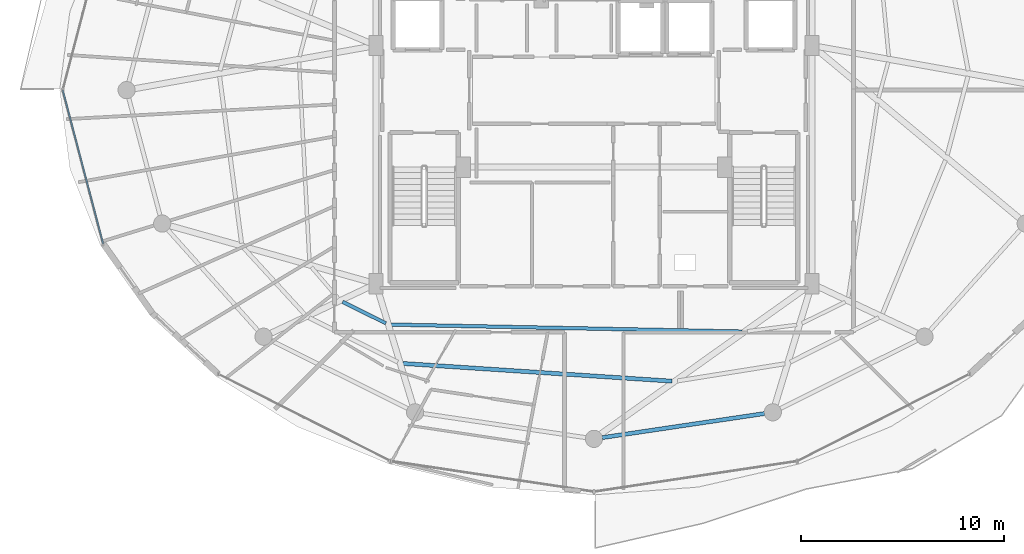
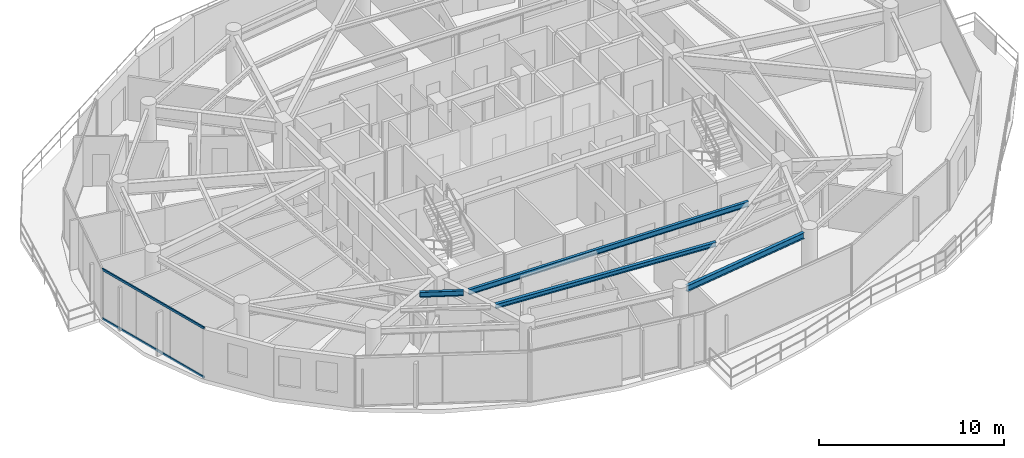
# One storey, part 5 of 29: 4 beams, 2 members, 1 element without a shape of its own.
"""IFC4 building model written with IfcOpenShell, lengths in metres."""

from ifc_helpers import new_model, si_unit, direction, frame, origin, origin_2d, place, context, subcontext, project, spatial, hollow_rectangle, i_section, extrude, material, material_profile, profile_set, type_object, element, aggregate, save


model = new_model("IFC4")

# Units and contexts
model_context = context("Model", 3, precision=1e-05, world=origin(), true_north=direction((0.0, 1.0)))
body_context = subcontext(model_context, "Body", "Model", "MODEL_VIEW")
ifc_project = project(units=[si_unit("LENGTHUNIT", "METRE"), si_unit("AREAUNIT", "SQUARE_METRE"), si_unit("VOLUMEUNIT", "CUBIC_METRE"), si_unit("PLANEANGLEUNIT", "RADIAN"), si_unit("MASSUNIT", "GRAM", prefix="KILO")], contexts=[model_context])

# Site, building, storey
site_placement = place(None, origin())
site = spatial("IfcSite", under=ifc_project, at=site_placement, CompositionType="ELEMENT")
building_placement = place(site_placement, origin())
building = spatial("IfcBuilding", under=site, at=building_placement, Name="Vorneva Point Tower", CompositionType="ELEMENT")
storey_placement = place(building_placement, frame((0.0, 0.0, 273.300048828125)))
storey = spatial("IfcBuildingStorey", under=building, at=storey_placement, Name="L74", CompositionType="ELEMENT", Elevation=273.300048828125)

# Beams
ifc_material_1 = material(Name="Steel S355", Category="steel")
ifc_material_profile_1 = material_profile(ifc_material_1, i_section(OverallWidth=0.199951171875, OverallDepth=0.291015625, WebThickness=0.008056640625, FlangeThickness=0.010986328125, at=origin_2d()), Name="30Sh1")
ifc_profile_set_1 = profile_set([ifc_material_profile_1], Name="Steel S355")
beam_type_1 = type_object("IfcBeamType", Name="BM-SEC-30Sh1", PredefinedType="BEAM", material=ifc_profile_set_1)
beam_1_placement = place(storey_placement, frame((28.5810546875, 12.5185546875, 3.14453125), z_axis=(0.997841748634, -0.065664637992, 0.0), x_axis=(0.065664637992, 0.997841748634, 0.0)))
element("IfcBeam", 1, at=beam_1_placement, inside=storey, type_object=beam_type_1, Name="L74 Secondary Floor Beam 1.12", PredefinedType="BEAM", context=body_context, shape_type="SweptSolid", body=[
    extrude(i_section(OverallWidth=0.199951171875, OverallDepth=0.291015625, WebThickness=0.008056640625, FlangeThickness=0.010986328125, at=origin_2d()), origin(), (0.0, 0.0, 1.0), 13.295654296875),
])
ifc_material_profile_2 = material_profile(ifc_material_1, i_section(OverallWidth=0.174072265625, OverallDepth=0.345947265625, WebThickness=0.006103515625, FlangeThickness=0.009033203125, at=origin_2d()), Name="35B1")
ifc_profile_set_2 = profile_set([ifc_material_profile_2], Name="Steel S355")
beam_type_2 = type_object("IfcBeamType", Name="BM-SEC-35B1", PredefinedType="BEAM", material=ifc_profile_set_2)
beam_2_placement = place(storey_placement, frame((25.605712890625, 15.556396484375, 3.116943359375), z_axis=(0.896082897708, -0.443886742803, 0.0), x_axis=(0.443886742803, 0.896082897708, 0.0)))
element("IfcBeam", 2, at=beam_2_placement, inside=storey, type_object=beam_type_2, Name="L74 Secondary Floor Beam 2.11", PredefinedType="BEAM", context=body_context, shape_type="SweptSolid", body=[
    extrude(i_section(OverallWidth=0.174072265625, OverallDepth=0.345947265625, WebThickness=0.006103515625, FlangeThickness=0.009033203125, at=origin_2d()), origin(), (0.0, 0.0, 1.0), 2.3798828125),
])
beam_3_placement = place(storey_placement, frame((28.0, 14.435791015625, 3.116943359375), z_axis=(0.999801957281, -0.019900909973, 0.0), x_axis=(0.019900909973, 0.999801957281, 0.0)))
element("IfcBeam", 3, at=beam_3_placement, inside=storey, type_object=beam_type_2, Name="L74 Secondary Floor Beam 2.12", PredefinedType="BEAM", context=body_context, shape_type="SweptSolid", body=[
    extrude(i_section(OverallWidth=0.174072265625, OverallDepth=0.345947265625, WebThickness=0.006103515625, FlangeThickness=0.009033203125, at=origin_2d()), origin(), (0.0, 0.0, 1.0), 17.297607421875),
])
ifc_material_profile_3 = material_profile(ifc_material_1, i_section(OverallWidth=0.198974609375, OverallDepth=0.39599609375, WebThickness=0.007080078125, FlangeThickness=0.010986328125, at=origin_2d()), Name="40B1")
ifc_profile_set_3 = profile_set([ifc_material_profile_3], Name="Steel S355")
beam_type_3 = type_object("IfcBeamType", Name="BM-SPN-40B1", PredefinedType="SPANDREL", material=ifc_profile_set_3)
beam_4_placement = place(storey_placement, frame((38.405517578125, 8.860107421875, 3.092041015625), z_axis=(0.989161657331, 0.146830567886, 0.0), x_axis=(-0.146830567886, 0.989161657331, 0.0)))
element("IfcBeam", 4, at=beam_4_placement, inside=storey, type_object=beam_type_3, Name="L74 Perimeter Spandrel Ring Beam 13", PredefinedType="SPANDREL", context=body_context, shape_type="SweptSolid", body=[
    extrude(i_section(OverallWidth=0.198974609375, OverallDepth=0.39599609375, WebThickness=0.007080078125, FlangeThickness=0.010986328125, at=origin_2d()), origin(), (0.0, 0.0, 1.0), 8.097412109375),
])

# Curtain wall, members
ifc_material_2 = material(Name="Pale anodised aluminium", Category="aluminium")
curtain_wall_type = type_object("IfcCurtainWallType", Name="CW-RES-SYS", PredefinedType="NOTDEFINED", material=ifc_material_2)
curtain_wall_placement = place(storey_placement, origin())
curtain_wall = element("IfcCurtainWall", 5, at=curtain_wall_placement, inside=storey, type_object=curtain_wall_type, Name="L74 Unitised Curtain Wall CW-L74-R03", PredefinedType="NOTDEFINED")
ifc_material_profile_4 = material_profile(ifc_material_2, hollow_rectangle(XDim=0.074951171875, YDim=0.14990234375, WallThickness=0.00390625, at=origin_2d()), Name="AL-TRN 150x75x4")
ifc_profile_set_4 = profile_set([ifc_material_profile_4], Name="Pale anodised aluminium")
member_type = type_object("IfcMemberType", Name="CW-TRN-150", PredefinedType="USERDEFINED", material=ifc_profile_set_4)
member_1_placement = place(storey_placement, frame((11.800048828125, 26.0, 0.02001953125), z_axis=(0.254418180926, -0.967094302131, 0.0), x_axis=(0.967094302131, 0.254418180926, 0.0)))
member_1 = element("IfcMember", 6, at=member_1_placement, type_object=member_type, Name="CW-L74-R03 Transom 03.1", ObjectType="TRANSOM", PredefinedType="USERDEFINED", context=body_context, shape_type="SweptSolid", body=[
    extrude(hollow_rectangle(XDim=0.074951171875, YDim=0.14990234375, WallThickness=0.00390625, at=origin_2d()), origin(), (0.0, 0.0, 1.0), 7.839111328125),
])
member_2_placement = place(storey_placement, frame((11.800048828125, 26.0, 3.27001953125), z_axis=(0.254418180926, -0.967094302131, 0.0), x_axis=(0.967094302131, 0.254418180926, 0.0)))
member_2 = element("IfcMember", 7, at=member_2_placement, type_object=member_type, Name="CW-L74-R03 Transom 03.2", ObjectType="TRANSOM", PredefinedType="USERDEFINED", context=body_context, shape_type="SweptSolid", body=[
    extrude(hollow_rectangle(XDim=0.074951171875, YDim=0.14990234375, WallThickness=0.00390625, at=origin_2d()), origin(), (0.0, 0.0, 1.0), 7.839111328125),
])
aggregate(curtain_wall, [member_1, member_2])

save(model, "model.ifc")
